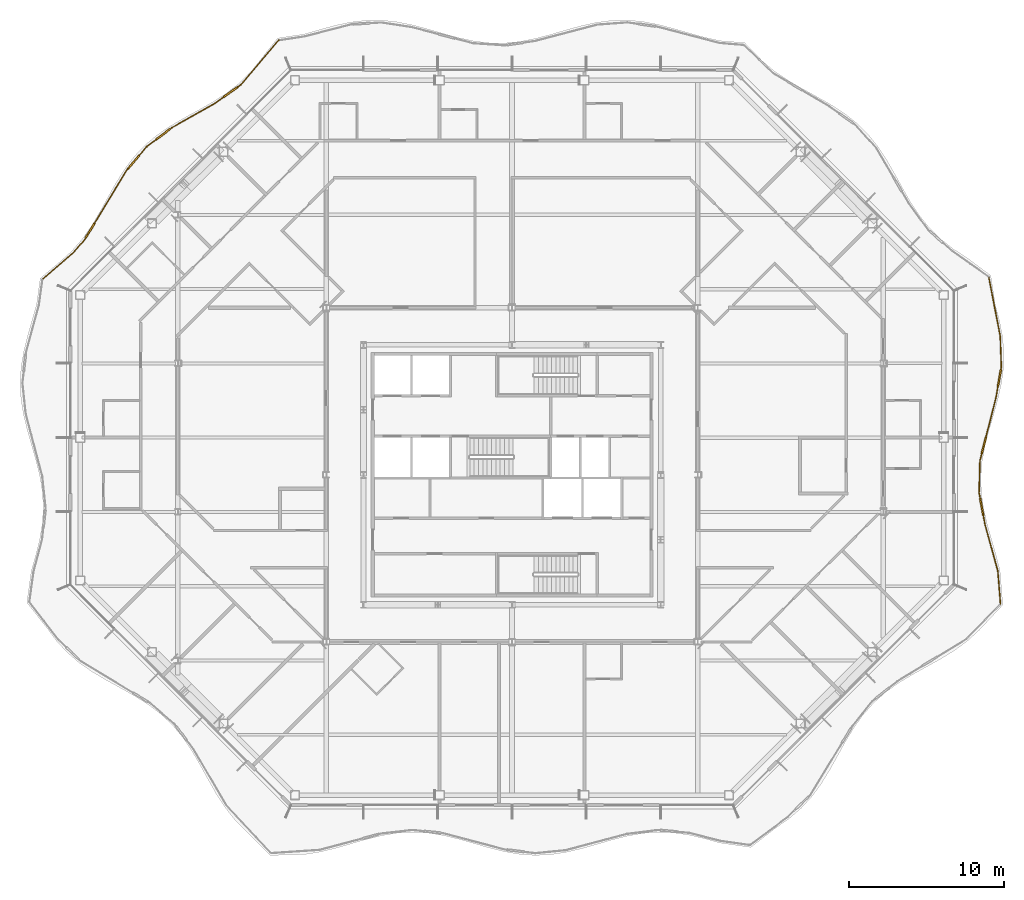
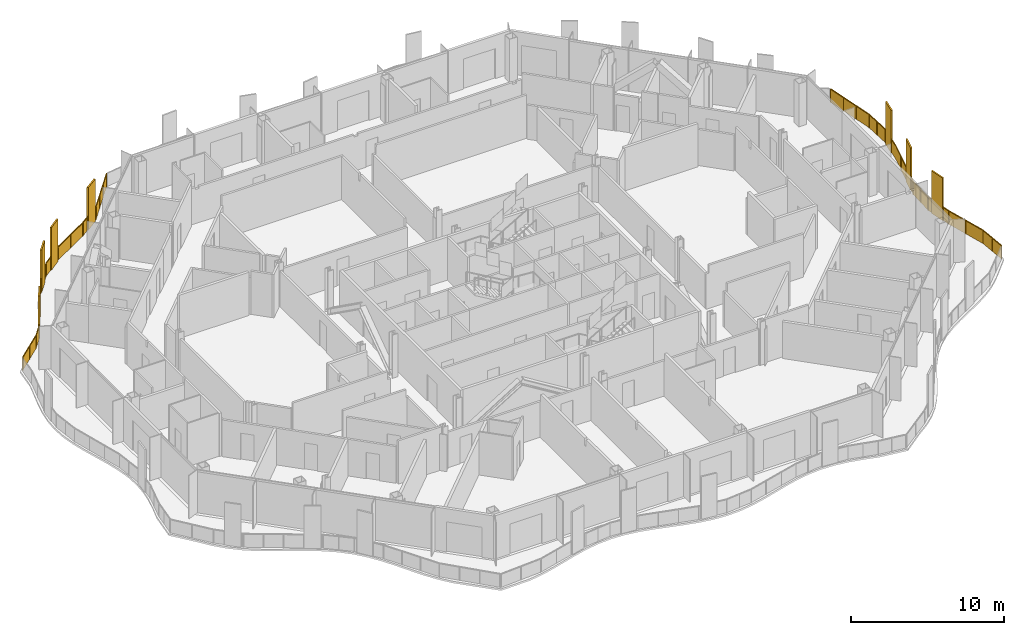
# One storey, part 20 of 21: 2 railings.
"""IFC4 building model written with IfcOpenShell, lengths in metres."""

from ifc_helpers import new_model, si_unit, direction, frame, origin, origin_2d, place, context, subcontext, project, spatial, polyline, rectangle, outline, extrude, material, type_object, element, save


model = new_model("IFC4")

# Units and contexts
model_context = context("Model", 3, precision=1e-05, world=origin(), true_north=direction((0.0, 1.0)))
body_context = subcontext(model_context, "Body", "Model", "MODEL_VIEW")
ifc_project = project(units=[si_unit("LENGTHUNIT", "METRE"), si_unit("AREAUNIT", "SQUARE_METRE"), si_unit("VOLUMEUNIT", "CUBIC_METRE"), si_unit("PLANEANGLEUNIT", "RADIAN"), si_unit("MASSUNIT", "GRAM", prefix="KILO")], contexts=[model_context])

# Site, building, storey
site_placement = place(None, origin())
site = spatial("IfcSite", under=ifc_project, at=site_placement, CompositionType="ELEMENT")
building_placement = place(site_placement, origin())
building = spatial("IfcBuilding", under=site, at=building_placement, Name="Cairn Pilgrim Tower", CompositionType="ELEMENT")
storey_placement = place(building_placement, frame((0.0, 0.0, 168.60009765625)))
storey = spatial("IfcBuildingStorey", under=building, at=storey_placement, Name="L42", CompositionType="ELEMENT", Elevation=168.60009765625)

# Railings
ifc_material = material(Name="Bronze anodised aluminium rail, posts and fin screens with laminated glass infill", Category="aluminium")
railing_type = type_object("IfcRailingType", Name="BALCONY GUARD WITH FIN SCREENS", PredefinedType="GUARDRAIL", material=ifc_material)
railing_1_placement = place(storey_placement, frame((38.767822265625, -5.95458984375, 0.0)))
element("IfcRailing", 1, at=railing_1_placement, inside=storey, type_object=railing_type, Name="Balcony guard BGF-3 with fin screens", PredefinedType="GUARDRAIL", context=body_context, shape_type="SweptSolid", body=[
    extrude(rectangle(XDim=0.050048828125, YDim=0.050048828125, at=origin_2d()), frame((0.0, 0.0, 1.0751953125), z_axis=(-0.080889182155, 0.996723101072, 0.0), x_axis=(-0.996723101072, -0.080889182155, 0.0)), (0.0, 0.0, 1.0), 2.14599609375),
    extrude(rectangle(XDim=0.050048828125, YDim=0.050048828125, at=origin_2d()), frame((-0.173583984375, 2.138916015625, 1.0751953125), z_axis=(-0.265487516633, 0.964114297431, 0.0), x_axis=(-0.964114297431, -0.265487516633, 0.0)), (0.0, 0.0, 1.0), 3.13671875),
    extrude(rectangle(XDim=1.10009765625, YDim=0.110107421875, at=origin_2d()), frame((-1.21435546875, 6.287841796875, 0.0), z_axis=(0.0, 0.0, 1.0), x_axis=(-0.181790485481, 0.983337286687, 0.0)), (0.0, 0.0, 1.0), 3.39990234375),
    extrude(rectangle(XDim=0.050048828125, YDim=0.050048828125, at=origin_2d()), frame((-1.00634765625, 5.1630859375, 1.0751953125), z_axis=(-0.181790485481, 0.983337286687, 0.0), x_axis=(-0.983337286687, -0.181790485481, 0.0)), (0.0, 0.0, 1.0), 0.593994140625),
    extrude(rectangle(XDim=0.050048828125, YDim=0.050048828125, at=origin_2d()), frame((-1.314208984375, 6.828857421875, 1.0751953125), z_axis=(-0.181790485481, 0.983337286687, 0.0), x_axis=(-0.983337286687, -0.181790485481, 0.0)), (0.0, 0.0, 1.0), 0.3837890625),
    extrude(rectangle(XDim=0.050048828125, YDim=0.050048828125, at=origin_2d()), frame((-1.384033203125, 7.2060546875, 1.0751953125), z_axis=(0.026859881236, 0.999639208305, 0.0), x_axis=(-0.999639208305, 0.026859881236, 0.0)), (0.0, 0.0, 1.0), 2.05419921875),
    extrude(rectangle(XDim=1.10009765625, YDim=0.110107421875, at=origin_2d()), frame((-1.074462890625, 10.261474609375, 0.0), z_axis=(0.0, 0.0, 1.0), x_axis=(0.245982331088, 0.969274312459, 0.0)), (0.0, 0.0, 1.0), 3.39990234375),
    extrude(rectangle(XDim=0.050048828125, YDim=0.050048828125, at=origin_2d()), frame((-1.328857421875, 9.259521484375, 1.0751953125), z_axis=(0.245982331088, 0.969274312459, 0.0), x_axis=(-0.969274312459, 0.245982331088, 0.0)), (0.0, 0.0, 1.0), 0.483642578125),
    extrude(rectangle(XDim=0.050048828125, YDim=0.050048828125, at=origin_2d()), frame((-0.939208984375, 10.794677734375, 1.0751953125), z_axis=(0.245982331088, 0.969274312459, 0.0), x_axis=(-0.969274312459, 0.245982331088, 0.0)), (0.0, 0.0, 1.0), 2.59765625),
    extrude(rectangle(XDim=1.10009765625, YDim=0.110107421875, at=origin_2d()), frame((-0.06787109375, 14.623291015625, 0.0), z_axis=(0.0, 0.0, 1.0), x_axis=(0.174642358515, 0.984631934589, 0.0)), (0.0, 0.0, 1.0), 3.39990234375),
    extrude(rectangle(XDim=0.050048828125, YDim=0.050048828125, at=origin_2d()), frame((-0.30029296875, 13.3125, 1.0751953125), z_axis=(0.174642358515, 0.984631934589, 0.0), x_axis=(-0.984631934589, 0.174642358515, 0.0)), (0.0, 0.0, 1.0), 0.78125),
    extrude(rectangle(XDim=0.050048828125, YDim=0.050048828125, at=origin_2d()), frame((0.0283203125, 15.164794921875, 1.0751953125), z_axis=(0.174642358515, 0.984631934589, 0.0), x_axis=(-0.984631934589, 0.174642358515, 0.0)), (0.0, 0.0, 1.0), 0.14990234375),
    extrude(rectangle(XDim=0.050048828125, YDim=0.050048828125, at=origin_2d()), frame((0.054443359375, 15.3125, 1.0751953125), z_axis=(-0.036228497932, 0.999343532494, 0.0), x_axis=(-0.999343532494, -0.036228497932, 0.0)), (0.0, 0.0, 1.0), 1.99462890625),
    extrude(rectangle(XDim=0.050048828125, YDim=0.050048828125, at=origin_2d()), frame((-0.017822265625, 17.305908203125, 1.0751953125), z_axis=(-0.189506592025, 0.981879448598, 0.0), x_axis=(-0.981879448598, -0.189506592025, 0.0)), (0.0, 0.0, 1.0), 3.859619140625),
    extrude(rectangle(XDim=0.050048828125, YDim=0.050048828125, at=origin_2d()), origin(), (0.0, 0.0, 1.0), 1.050048828125),
    extrude(rectangle(XDim=0.050048828125, YDim=0.050048828125, at=origin_2d()), frame((-0.0869140625, 1.0693359375, 0.0)), (0.0, 0.0, 1.0), 1.050048828125),
    extrude(rectangle(XDim=0.050048828125, YDim=0.050048828125, at=origin_2d()), frame((-0.173583984375, 2.138916015625, 0.0)), (0.0, 0.0, 1.0), 1.050048828125),
    extrude(rectangle(XDim=0.050048828125, YDim=0.050048828125, at=origin_2d()), frame((-0.58984375, 3.65087890625, 0.0)), (0.0, 0.0, 1.0), 1.050048828125),
    extrude(rectangle(XDim=0.050048828125, YDim=0.050048828125, at=origin_2d()), frame((-1.00634765625, 5.1630859375, 0.0)), (0.0, 0.0, 1.0), 1.050048828125),
    extrude(rectangle(XDim=0.050048828125, YDim=0.050048828125, at=origin_2d()), frame((-1.10986328125, 5.722412109375, 0.0)), (0.0, 0.0, 1.0), 1.050048828125),
    extrude(rectangle(XDim=0.050048828125, YDim=0.050048828125, at=origin_2d()), frame((-1.31884765625, 6.853271484375, 0.0)), (0.0, 0.0, 1.0), 1.050048828125),
    extrude(rectangle(XDim=0.050048828125, YDim=0.050048828125, at=origin_2d()), frame((-1.384033203125, 7.2060546875, 0.0)), (0.0, 0.0, 1.0), 1.050048828125),
    extrude(rectangle(XDim=0.050048828125, YDim=0.050048828125, at=origin_2d()), frame((-1.3564453125, 8.23291015625, 0.0)), (0.0, 0.0, 1.0), 1.050048828125),
    extrude(rectangle(XDim=0.050048828125, YDim=0.050048828125, at=origin_2d()), frame((-1.328857421875, 9.259521484375, 0.0)), (0.0, 0.0, 1.0), 1.050048828125),
    extrude(rectangle(XDim=0.050048828125, YDim=0.050048828125, at=origin_2d()), frame((-1.216064453125, 9.7041015625, 0.0)), (0.0, 0.0, 1.0), 1.050048828125),
    extrude(rectangle(XDim=0.050048828125, YDim=0.050048828125, at=origin_2d()), frame((-0.93310546875, 10.81884765625, 0.0)), (0.0, 0.0, 1.0), 1.050048828125),
    extrude(rectangle(XDim=0.050048828125, YDim=0.050048828125, at=origin_2d()), frame((-0.61669921875, 12.065673828125, 0.0)), (0.0, 0.0, 1.0), 1.050048828125),
    extrude(rectangle(XDim=0.050048828125, YDim=0.050048828125, at=origin_2d()), frame((-0.30029296875, 13.3125, 0.0)), (0.0, 0.0, 1.0), 1.050048828125),
    extrude(rectangle(XDim=0.050048828125, YDim=0.050048828125, at=origin_2d()), frame((-0.168212890625, 14.05712890625, 0.0)), (0.0, 0.0, 1.0), 1.050048828125),
    extrude(rectangle(XDim=0.050048828125, YDim=0.050048828125, at=origin_2d()), frame((0.03271484375, 15.189453125, 0.0)), (0.0, 0.0, 1.0), 1.050048828125),
    extrude(rectangle(XDim=0.050048828125, YDim=0.050048828125, at=origin_2d()), frame((0.054443359375, 15.3125, 0.0)), (0.0, 0.0, 1.0), 1.050048828125),
    extrude(rectangle(XDim=0.050048828125, YDim=0.050048828125, at=origin_2d()), frame((0.018310546875, 16.30908203125, 0.0)), (0.0, 0.0, 1.0), 1.050048828125),
    extrude(rectangle(XDim=0.050048828125, YDim=0.050048828125, at=origin_2d()), frame((-0.017822265625, 17.305908203125, 0.0)), (0.0, 0.0, 1.0), 1.050048828125),
    extrude(rectangle(XDim=0.050048828125, YDim=0.050048828125, at=origin_2d()), frame((-0.26171875, 18.569091796875, 0.0)), (0.0, 0.0, 1.0), 1.050048828125),
    extrude(rectangle(XDim=0.050048828125, YDim=0.050048828125, at=origin_2d()), frame((-0.50537109375, 19.83251953125, 0.0)), (0.0, 0.0, 1.0), 1.050048828125),
    extrude(rectangle(XDim=0.050048828125, YDim=0.050048828125, at=origin_2d()), frame((-0.749267578125, 21.095703125, 0.0)), (0.0, 0.0, 1.0), 1.050048828125),
    extrude(outline(polyline([(0.02490234375, 0.0), (1.0478515625, 0.0), (1.0478515625, 1.050048828125), (0.02490234375, 1.050048828125), (0.02490234375, 0.0)])), frame((-0.005859375, -0.00048828125, 0.0), z_axis=(0.996723101072, 0.080889182155, 0.0), x_axis=(-0.080889182155, 0.996723101072, 0.0)), (0.0, 0.0, 1.0), 0.011962890625),
    extrude(outline(polyline([(0.02490234375, 0.0), (1.0478515625, 0.0), (1.0478515625, 1.050048828125), (0.02490234375, 1.050048828125), (0.02490234375, 0.0)])), frame((-0.0927734375, 1.069091796875, 0.0), z_axis=(0.996723101072, 0.080889182155, 0.0), x_axis=(-0.080889182155, 0.996723101072, 0.0)), (0.0, 0.0, 1.0), 0.011962890625),
    extrude(outline(polyline([(0.02490234375, 0.0), (1.54345703125, 0.0), (1.54345703125, 1.050048828125), (0.02490234375, 1.050048828125), (0.02490234375, 0.0)])), frame((-0.179443359375, 2.13720703125, 0.0), z_axis=(0.964114297431, 0.265487516633, 0.0), x_axis=(-0.265487516633, 0.964114297431, 0.0)), (0.0, 0.0, 1.0), 0.011962890625),
    extrude(outline(polyline([(0.02490234375, 0.0), (1.54345703125, 0.0), (1.54345703125, 1.050048828125), (0.02490234375, 1.050048828125), (0.02490234375, 0.0)])), frame((-0.595703125, 3.6494140625, 0.0), z_axis=(0.964114297431, 0.265487516633, 0.0), x_axis=(-0.265487516633, 0.964114297431, 0.0)), (0.0, 0.0, 1.0), 0.011962890625),
    extrude(outline(polyline([(0.02490234375, 0.0), (0.5439453125, 0.0), (0.5439453125, 1.050048828125), (0.02490234375, 1.050048828125), (0.02490234375, 0.0)])), frame((-1.01220703125, 5.162109375, 0.0), z_axis=(0.983337286687, 0.181790485481, 0.0), x_axis=(-0.181790485481, 0.983337286687, 0.0)), (0.0, 0.0, 1.0), 0.011962890625),
    extrude(outline(polyline([(0.02490234375, 0.0), (0.333740234375, 0.0), (0.333740234375, 1.050048828125), (0.02490234375, 1.050048828125), (0.02490234375, 0.0)])), frame((-1.32470703125, 6.852294921875, 0.0), z_axis=(0.983337286687, 0.181790485481, 0.0), x_axis=(-0.181790485481, 0.983337286687, 0.0)), (0.0, 0.0, 1.0), 0.011962890625),
    extrude(outline(polyline([(0.02490234375, 0.0), (1.002197265625, 0.0), (1.002197265625, 1.050048828125), (0.02490234375, 1.050048828125), (0.02490234375, 0.0)])), frame((-1.389892578125, 7.206298828125, 0.0), z_axis=(0.999639208305, -0.026859881236, 0.0), x_axis=(0.026859881236, 0.999639208305, 0.0)), (0.0, 0.0, 1.0), 0.011962890625),
    extrude(outline(polyline([(0.02490234375, 0.0), (1.002197265625, 0.0), (1.002197265625, 1.050048828125), (0.02490234375, 1.050048828125), (0.02490234375, 0.0)])), frame((-1.3623046875, 8.23291015625, 0.0), z_axis=(0.999639208305, -0.026859881236, 0.0), x_axis=(0.026859881236, 0.999639208305, 0.0)), (0.0, 0.0, 1.0), 0.011962890625),
    extrude(outline(polyline([(0.02490234375, 0.0), (0.43359375, 0.0), (0.43359375, 1.050048828125), (0.02490234375, 1.050048828125), (0.02490234375, 0.0)])), frame((-1.334716796875, 9.260986328125, 0.0), z_axis=(0.969274312459, -0.245982331088, 0.0), x_axis=(0.245982331088, 0.969274312459, 0.0)), (0.0, 0.0, 1.0), 0.011962890625),
    extrude(outline(polyline([(0.02490234375, 0.0), (1.26123046875, 0.0), (1.26123046875, 1.050048828125), (0.02490234375, 1.050048828125), (0.02490234375, 0.0)])), frame((-0.93896484375, 10.8203125, 0.0), z_axis=(0.969274312459, -0.245982331088, 0.0), x_axis=(0.245982331088, 0.969274312459, 0.0)), (0.0, 0.0, 1.0), 0.011962890625),
    extrude(outline(polyline([(0.02490234375, 0.0), (1.26123046875, 0.0), (1.26123046875, 1.050048828125), (0.02490234375, 1.050048828125), (0.02490234375, 0.0)])), frame((-0.62255859375, 12.067138671875, 0.0), z_axis=(0.969274312459, -0.245982331088, 0.0), x_axis=(0.245982331088, 0.969274312459, 0.0)), (0.0, 0.0, 1.0), 0.011962890625),
    extrude(outline(polyline([(0.02490234375, 0.0), (0.731201171875, 0.0), (0.731201171875, 1.050048828125), (0.02490234375, 1.050048828125), (0.02490234375, 0.0)])), frame((-0.30615234375, 13.3134765625, 0.0), z_axis=(0.984631934589, -0.174642358515, 0.0), x_axis=(0.174642358515, 0.984631934589, 0.0)), (0.0, 0.0, 1.0), 0.011962890625),
    extrude(outline(polyline([(0.02490234375, 0.0), (0.099853515625, 0.0), (0.099853515625, 1.050048828125), (0.02490234375, 1.050048828125), (0.02490234375, 0.0)])), frame((0.02685546875, 15.1904296875, 0.0), z_axis=(0.984631934589, -0.174642358515, 0.0), x_axis=(0.174642358515, 0.984631934589, 0.0)), (0.0, 0.0, 1.0), 0.011962890625),
    extrude(outline(polyline([(0.02490234375, 0.0), (0.972412109375, 0.0), (0.972412109375, 1.050048828125), (0.02490234375, 1.050048828125), (0.02490234375, 0.0)])), frame((0.048583984375, 15.312255859375, 0.0), z_axis=(0.999343532494, 0.036228497932, 0.0), x_axis=(-0.036228497932, 0.999343532494, 0.0)), (0.0, 0.0, 1.0), 0.011962890625),
    extrude(outline(polyline([(0.02490234375, 0.0), (0.972412109375, 0.0), (0.972412109375, 1.050048828125), (0.02490234375, 1.050048828125), (0.02490234375, 0.0)])), frame((0.012451171875, 16.30908203125, 0.0), z_axis=(0.999343532494, 0.036228497932, 0.0), x_axis=(-0.036228497932, 0.999343532494, 0.0)), (0.0, 0.0, 1.0), 0.011962890625),
    extrude(outline(polyline([(0.02490234375, 0.0), (1.261474609375, 0.0), (1.261474609375, 1.050048828125), (0.02490234375, 1.050048828125), (0.02490234375, 0.0)])), frame((-0.023681640625, 17.3046875, 0.0), z_axis=(0.981879448598, 0.189506592025, 0.0), x_axis=(-0.189506592025, 0.981879448598, 0.0)), (0.0, 0.0, 1.0), 0.011962890625),
    extrude(outline(polyline([(0.02490234375, 0.0), (1.261474609375, 0.0), (1.261474609375, 1.050048828125), (0.02490234375, 1.050048828125), (0.02490234375, 0.0)])), frame((-0.267578125, 18.568115234375, 0.0), z_axis=(0.981879448598, 0.189506592025, 0.0), x_axis=(-0.189506592025, 0.981879448598, 0.0)), (0.0, 0.0, 1.0), 0.011962890625),
    extrude(outline(polyline([(0.02490234375, 0.0), (1.261474609375, 0.0), (1.261474609375, 1.050048828125), (0.02490234375, 1.050048828125), (0.02490234375, 0.0)])), frame((-0.51123046875, 19.831298828125, 0.0), z_axis=(0.981879448598, 0.189506592025, 0.0), x_axis=(-0.189506592025, 0.981879448598, 0.0)), (0.0, 0.0, 1.0), 0.011962890625),
])
railing_2_placement = place(storey_placement, frame((-7.87841796875, 30.486328125, 0.0)))
element("IfcRailing", 2, at=railing_2_placement, inside=storey, type_object=railing_type, Name="Balcony guard BGF-6 with fin screens", PredefinedType="GUARDRAIL", context=body_context, shape_type="SweptSolid", body=[
    extrude(rectangle(XDim=0.050048828125, YDim=0.050048828125, at=origin_2d()), frame((0.0, 0.0, 1.0751953125), z_axis=(-0.648153636662, -0.761509595003, 0.0), x_axis=(0.761509595003, -0.648153636662, 0.0)), (0.0, 0.0, 1.0), 3.786376953125),
    extrude(rectangle(XDim=1.10009765625, YDim=0.110107421875, at=origin_2d()), frame((-3.097412109375, -3.3408203125, 0.0), z_axis=(0.0, 0.0, 1.0), x_axis=(-0.81491489283, -0.579580639293, 0.0)), (0.0, 0.0, 1.0), 3.39990234375),
    extrude(rectangle(XDim=0.050048828125, YDim=0.050048828125, at=origin_2d()), frame((-2.4541015625, -2.88330078125, 1.0751953125), z_axis=(-0.81491489283, -0.579580639293, 0.0), x_axis=(0.579580639293, -0.81491489283, 0.0)), (0.0, 0.0, 1.0), 0.2392578125),
    extrude(rectangle(XDim=0.050048828125, YDim=0.050048828125, at=origin_2d()), frame((-3.54541015625, -3.659423828125, 1.0751953125), z_axis=(-0.81491489283, -0.579580639293, 0.0), x_axis=(0.579580639293, -0.81491489283, 0.0)), (0.0, 0.0, 1.0), 0.752197265625),
    extrude(rectangle(XDim=0.050048828125, YDim=0.050048828125, at=origin_2d()), frame((-4.158447265625, -4.095458984375, 1.0751953125), z_axis=(-0.870072876062, -0.492923107939, 0.0), x_axis=(0.492923107939, -0.870072876062, 0.0)), (0.0, 0.0, 1.0), 3.16748046875),
    extrude(rectangle(XDim=1.10009765625, YDim=0.110107421875, at=origin_2d()), frame((-7.473388671875, -6.077880859375, 0.0), z_axis=(0.0, 0.0, 1.0), x_axis=(-0.79875722048, -0.601653473963, 0.0)), (0.0, 0.0, 1.0), 3.39990234375),
    extrude(rectangle(XDim=0.050048828125, YDim=0.050048828125, at=origin_2d()), frame((-6.914306640625, -5.65673828125, 1.0751953125), z_axis=(-0.79875722048, -0.601653473963, 0.0), x_axis=(0.601653473963, -0.79875722048, 0.0)), (0.0, 0.0, 1.0), 0.150146484375),
    extrude(rectangle(XDim=0.050048828125, YDim=0.050048828125, at=origin_2d()), frame((-7.912841796875, -6.408935546875, 1.0751953125), z_axis=(-0.79875722048, -0.601653473963, 0.0), x_axis=(0.601653473963, -0.79875722048, 0.0)), (0.0, 0.0, 1.0), 0.780029296875),
    extrude(rectangle(XDim=1.10009765625, YDim=0.110107421875, at=origin_2d()), frame((-9.38720703125, -7.8798828125, 0.0), z_axis=(0.0, 0.0, 1.0), x_axis=(-0.647651938009, -0.761936327519, 0.0)), (0.0, 0.0, 1.0), 3.39990234375),
    extrude(rectangle(XDim=0.050048828125, YDim=0.050048828125, at=origin_2d()), frame((-8.535888671875, -6.878173828125, 1.0751953125), z_axis=(-0.647651938009, -0.761936327519, 0.0), x_axis=(0.761936327519, -0.647651938009, 0.0)), (0.0, 0.0, 1.0), 0.7646484375),
    extrude(rectangle(XDim=0.050048828125, YDim=0.050048828125, at=origin_2d()), frame((-9.743408203125, -8.298828125, 1.0751953125), z_axis=(-0.647651938009, -0.761936327519, 0.0), x_axis=(0.761936327519, -0.647651938009, 0.0)), (0.0, 0.0, 1.0), 0.14990234375),
    extrude(rectangle(XDim=1.10009765625, YDim=0.110107421875, at=origin_2d()), frame((-12.192138671875, -12.301025390625, 0.0), z_axis=(0.0, 0.0, 1.0), x_axis=(-0.517546194079, -0.855655267613, 0.0)), (0.0, 0.0, 1.0), 3.39990234375),
    extrude(rectangle(XDim=0.050048828125, YDim=0.050048828125, at=origin_2d()), frame((-9.840576171875, -8.4130859375, 1.0751953125), z_axis=(-0.517546194079, -0.855655267613, 0.0), x_axis=(0.855655267613, -0.517546194079, 0.0)), (0.0, 0.0, 1.0), 3.99365234375),
    extrude(rectangle(XDim=0.050048828125, YDim=0.050048828125, at=origin_2d()), frame((-12.476806640625, -12.771484375, 1.0751953125), z_axis=(-0.517546194079, -0.855655267613, 0.0), x_axis=(0.855655267613, -0.517546194079, 0.0)), (0.0, 0.0, 1.0), 0.14990234375),
    extrude(rectangle(XDim=0.050048828125, YDim=0.050048828125, at=origin_2d()), frame((-12.554443359375, -12.89990234375, 1.0751953125), z_axis=(-0.652944244949, -0.757405976335, 0.0), x_axis=(0.757405976335, -0.652944244949, 0.0)), (0.0, 0.0, 1.0), 1.044677734375),
    extrude(rectangle(XDim=0.050048828125, YDim=0.050048828125, at=origin_2d()), frame((-13.236572265625, -13.691162109375, 1.0751953125), z_axis=(-0.755984828565, -0.654589137535, 0.0), x_axis=(0.654589137535, -0.755984828565, 0.0)), (0.0, 0.0, 1.0), 2.641357421875),
    extrude(rectangle(XDim=0.050048828125, YDim=0.050048828125, at=origin_2d()), origin(), (0.0, 0.0, 1.0), 1.050048828125),
    extrude(rectangle(XDim=0.050048828125, YDim=0.050048828125, at=origin_2d()), frame((-0.818115234375, -0.961181640625, 0.0)), (0.0, 0.0, 1.0), 1.050048828125),
    extrude(rectangle(XDim=0.050048828125, YDim=0.050048828125, at=origin_2d()), frame((-1.635986328125, -1.922119140625, 0.0)), (0.0, 0.0, 1.0), 1.050048828125),
    extrude(rectangle(XDim=0.050048828125, YDim=0.050048828125, at=origin_2d()), frame((-2.4541015625, -2.88330078125, 0.0)), (0.0, 0.0, 1.0), 1.050048828125),
    extrude(rectangle(XDim=0.050048828125, YDim=0.050048828125, at=origin_2d()), frame((-2.628662109375, -3.007568359375, 0.0)), (0.0, 0.0, 1.0), 1.050048828125),
    extrude(rectangle(XDim=0.050048828125, YDim=0.050048828125, at=origin_2d()), frame((-3.56591796875, -3.674072265625, 0.0)), (0.0, 0.0, 1.0), 1.050048828125),
    extrude(rectangle(XDim=0.050048828125, YDim=0.050048828125, at=origin_2d()), frame((-4.158447265625, -4.095458984375, 0.0)), (0.0, 0.0, 1.0), 1.050048828125),
    extrude(rectangle(XDim=0.050048828125, YDim=0.050048828125, at=origin_2d()), frame((-5.536376953125, -4.8759765625, 0.0)), (0.0, 0.0, 1.0), 1.050048828125),
    extrude(rectangle(XDim=0.050048828125, YDim=0.050048828125, at=origin_2d()), frame((-6.914306640625, -5.65673828125, 0.0)), (0.0, 0.0, 1.0), 1.050048828125),
    extrude(rectangle(XDim=0.050048828125, YDim=0.050048828125, at=origin_2d()), frame((-7.01416015625, -5.73193359375, 0.0)), (0.0, 0.0, 1.0), 1.050048828125),
    extrude(rectangle(XDim=0.050048828125, YDim=0.050048828125, at=origin_2d()), frame((-7.932861328125, -6.423828125, 0.0)), (0.0, 0.0, 1.0), 1.050048828125),
    extrude(rectangle(XDim=0.050048828125, YDim=0.050048828125, at=origin_2d()), frame((-8.535888671875, -6.878173828125, 0.0)), (0.0, 0.0, 1.0), 1.050048828125),
    extrude(rectangle(XDim=0.050048828125, YDim=0.050048828125, at=origin_2d()), frame((-9.014892578125, -7.441650390625, 0.0)), (0.0, 0.0, 1.0), 1.050048828125),
    extrude(rectangle(XDim=0.050048828125, YDim=0.050048828125, at=origin_2d()), frame((-9.759765625, -8.31787109375, 0.0)), (0.0, 0.0, 1.0), 1.050048828125),
    extrude(rectangle(XDim=0.050048828125, YDim=0.050048828125, at=origin_2d()), frame((-9.840576171875, -8.4130859375, 0.0)), (0.0, 0.0, 1.0), 1.050048828125),
    extrude(rectangle(XDim=0.050048828125, YDim=0.050048828125, at=origin_2d()), frame((-10.525146484375, -9.544921875, 0.0)), (0.0, 0.0, 1.0), 1.050048828125),
    extrude(rectangle(XDim=0.050048828125, YDim=0.050048828125, at=origin_2d()), frame((-11.2099609375, -10.677001953125, 0.0)), (0.0, 0.0, 1.0), 1.050048828125),
    extrude(rectangle(XDim=0.050048828125, YDim=0.050048828125, at=origin_2d()), frame((-11.89453125, -11.808837890625, 0.0)), (0.0, 0.0, 1.0), 1.050048828125),
    extrude(rectangle(XDim=0.050048828125, YDim=0.050048828125, at=origin_2d()), frame((-12.48974609375, -12.79296875, 0.0)), (0.0, 0.0, 1.0), 1.050048828125),
    extrude(rectangle(XDim=0.050048828125, YDim=0.050048828125, at=origin_2d()), frame((-12.554443359375, -12.89990234375, 0.0)), (0.0, 0.0, 1.0), 1.050048828125),
    extrude(rectangle(XDim=0.050048828125, YDim=0.050048828125, at=origin_2d()), frame((-13.236572265625, -13.691162109375, 0.0)), (0.0, 0.0, 1.0), 1.050048828125),
    extrude(rectangle(XDim=0.050048828125, YDim=0.050048828125, at=origin_2d()), frame((-14.23486328125, -14.5556640625, 0.0)), (0.0, 0.0, 1.0), 1.050048828125),
    extrude(rectangle(XDim=0.050048828125, YDim=0.050048828125, at=origin_2d()), frame((-15.2333984375, -15.420166015625, 0.0)), (0.0, 0.0, 1.0), 1.050048828125),
    extrude(outline(polyline([(0.02490234375, 0.0), (1.237060546875, 0.0), (1.237060546875, 1.050048828125), (0.02490234375, 1.050048828125), (0.02490234375, 0.0)])), frame((0.004638671875, -0.00390625, 0.0), z_axis=(-0.761509595003, 0.648153636662, 0.0), x_axis=(-0.648153636662, -0.761509595003, 0.0)), (0.0, 0.0, 1.0), 0.011962890625),
    extrude(outline(polyline([(0.02490234375, 0.0), (1.237060546875, 0.0), (1.237060546875, 1.050048828125), (0.02490234375, 1.050048828125), (0.02490234375, 0.0)])), frame((-0.8134765625, -0.965087890625, 0.0), z_axis=(-0.761509595003, 0.648153636662, 0.0), x_axis=(-0.648153636662, -0.761509595003, 0.0)), (0.0, 0.0, 1.0), 0.011962890625),
    extrude(outline(polyline([(0.02490234375, 0.0), (1.237060546875, 0.0), (1.237060546875, 1.050048828125), (0.02490234375, 1.050048828125), (0.02490234375, 0.0)])), frame((-1.631591796875, -1.926025390625, 0.0), z_axis=(-0.761509595003, 0.648153636662, 0.0), x_axis=(-0.648153636662, -0.761509595003, 0.0)), (0.0, 0.0, 1.0), 0.011962890625),
    extrude(outline(polyline([(0.02490234375, 0.0), (0.189208984375, 0.0), (0.189208984375, 1.050048828125), (0.02490234375, 1.050048828125), (0.02490234375, 0.0)])), frame((-2.45068359375, -2.88818359375, 0.0), z_axis=(-0.579580639293, 0.81491489283, 0.0), x_axis=(-0.81491489283, -0.579580639293, 0.0)), (0.0, 0.0, 1.0), 0.011962890625),
    extrude(outline(polyline([(0.02490234375, 0.0), (0.7021484375, 0.0), (0.7021484375, 1.050048828125), (0.02490234375, 1.050048828125), (0.02490234375, 0.0)])), frame((-3.5625, -3.678955078125, 0.0), z_axis=(-0.579580639293, 0.81491489283, 0.0), x_axis=(-0.81491489283, -0.579580639293, 0.0)), (0.0, 0.0, 1.0), 0.011962890625),
    extrude(outline(polyline([(0.02490234375, 0.0), (1.55859375, 0.0), (1.55859375, 1.050048828125), (0.02490234375, 1.050048828125), (0.02490234375, 0.0)])), frame((-4.155517578125, -4.1005859375, 0.0), z_axis=(-0.492923107939, 0.870072876062, 0.0), x_axis=(-0.870072876062, -0.492923107939, 0.0)), (0.0, 0.0, 1.0), 0.011962890625),
    extrude(outline(polyline([(0.02490234375, 0.0), (1.55859375, 0.0), (1.55859375, 1.050048828125), (0.02490234375, 1.050048828125), (0.02490234375, 0.0)])), frame((-5.533447265625, -4.88134765625, 0.0), z_axis=(-0.492923107939, 0.870072876062, 0.0), x_axis=(-0.870072876062, -0.492923107939, 0.0)), (0.0, 0.0, 1.0), 0.011962890625),
    extrude(outline(polyline([(0.02490234375, 0.0), (0.10009765625, 0.0), (0.10009765625, 1.050048828125), (0.02490234375, 1.050048828125), (0.02490234375, 0.0)])), frame((-6.91064453125, -5.66162109375, 0.0), z_axis=(-0.601653473963, 0.79875722048, 0.0), x_axis=(-0.79875722048, -0.601653473963, 0.0)), (0.0, 0.0, 1.0), 0.011962890625),
    extrude(outline(polyline([(0.02490234375, 0.0), (0.72998046875, 0.0), (0.72998046875, 1.050048828125), (0.02490234375, 1.050048828125), (0.02490234375, 0.0)])), frame((-7.92919921875, -6.4287109375, 0.0), z_axis=(-0.601653473963, 0.79875722048, 0.0), x_axis=(-0.79875722048, -0.601653473963, 0.0)), (0.0, 0.0, 1.0), 0.011962890625),
    extrude(outline(polyline([(0.02490234375, 0.0), (0.714599609375, 0.0), (0.714599609375, 1.050048828125), (0.02490234375, 1.050048828125), (0.02490234375, 0.0)])), frame((-8.53125, -6.882080078125, 0.0), z_axis=(-0.761936327519, 0.647651938009, 0.0), x_axis=(-0.647651938009, -0.761936327519, 0.0)), (0.0, 0.0, 1.0), 0.011962890625),
    extrude(outline(polyline([(0.02490234375, 0.0), (0.099853515625, 0.0), (0.099853515625, 1.050048828125), (0.02490234375, 1.050048828125), (0.02490234375, 0.0)])), frame((-9.755126953125, -8.32177734375, 0.0), z_axis=(-0.761936327519, 0.647651938009, 0.0), x_axis=(-0.647651938009, -0.761936327519, 0.0)), (0.0, 0.0, 1.0), 0.011962890625),
    extrude(outline(polyline([(0.02490234375, 0.0), (1.2978515625, 0.0), (1.2978515625, 1.050048828125), (0.02490234375, 1.050048828125), (0.02490234375, 0.0)])), frame((-9.83544921875, -8.416259765625, 0.0), z_axis=(-0.855655267613, 0.517546194079, 0.0), x_axis=(-0.517546194079, -0.855655267613, 0.0)), (0.0, 0.0, 1.0), 0.011962890625),
    extrude(outline(polyline([(0.02490234375, 0.0), (1.2978515625, 0.0), (1.2978515625, 1.050048828125), (0.02490234375, 1.050048828125), (0.02490234375, 0.0)])), frame((-10.52001953125, -9.548095703125, 0.0), z_axis=(-0.855655267613, 0.517546194079, 0.0), x_axis=(-0.517546194079, -0.855655267613, 0.0)), (0.0, 0.0, 1.0), 0.011962890625),
    extrude(outline(polyline([(0.02490234375, 0.0), (1.2978515625, 0.0), (1.2978515625, 1.050048828125), (0.02490234375, 1.050048828125), (0.02490234375, 0.0)])), frame((-11.204833984375, -10.68017578125, 0.0), z_axis=(-0.855655267613, 0.517546194079, 0.0), x_axis=(-0.517546194079, -0.855655267613, 0.0)), (0.0, 0.0, 1.0), 0.011962890625),
    extrude(outline(polyline([(0.02490234375, 0.0), (0.099853515625, 0.0), (0.099853515625, 1.050048828125), (0.02490234375, 1.050048828125), (0.02490234375, 0.0)])), frame((-12.484619140625, -12.796142578125, 0.0), z_axis=(-0.855655267613, 0.517546194079, 0.0), x_axis=(-0.517546194079, -0.855655267613, 0.0)), (0.0, 0.0, 1.0), 0.011962890625),
    extrude(outline(polyline([(0.02490234375, 0.0), (1.019775390625, 0.0), (1.019775390625, 1.050048828125), (0.02490234375, 1.050048828125), (0.02490234375, 0.0)])), frame((-12.5498046875, -12.90380859375, 0.0), z_axis=(-0.757405976335, 0.652944244949, 0.0), x_axis=(-0.652944244949, -0.757405976335, 0.0)), (0.0, 0.0, 1.0), 0.011962890625),
    extrude(outline(polyline([(0.02490234375, 0.0), (1.295654296875, 0.0), (1.295654296875, 1.050048828125), (0.02490234375, 1.050048828125), (0.02490234375, 0.0)])), frame((-13.232666015625, -13.69580078125, 0.0), z_axis=(-0.654589137535, 0.755984828565, 0.0), x_axis=(-0.755984828565, -0.654589137535, 0.0)), (0.0, 0.0, 1.0), 0.011962890625),
    extrude(outline(polyline([(0.02490234375, 0.0), (1.295654296875, 0.0), (1.295654296875, 1.050048828125), (0.02490234375, 1.050048828125), (0.02490234375, 0.0)])), frame((-14.23095703125, -14.560302734375, 0.0), z_axis=(-0.654589137535, 0.755984828565, 0.0), x_axis=(-0.755984828565, -0.654589137535, 0.0)), (0.0, 0.0, 1.0), 0.011962890625),
])

save(model, "model.ifc")
